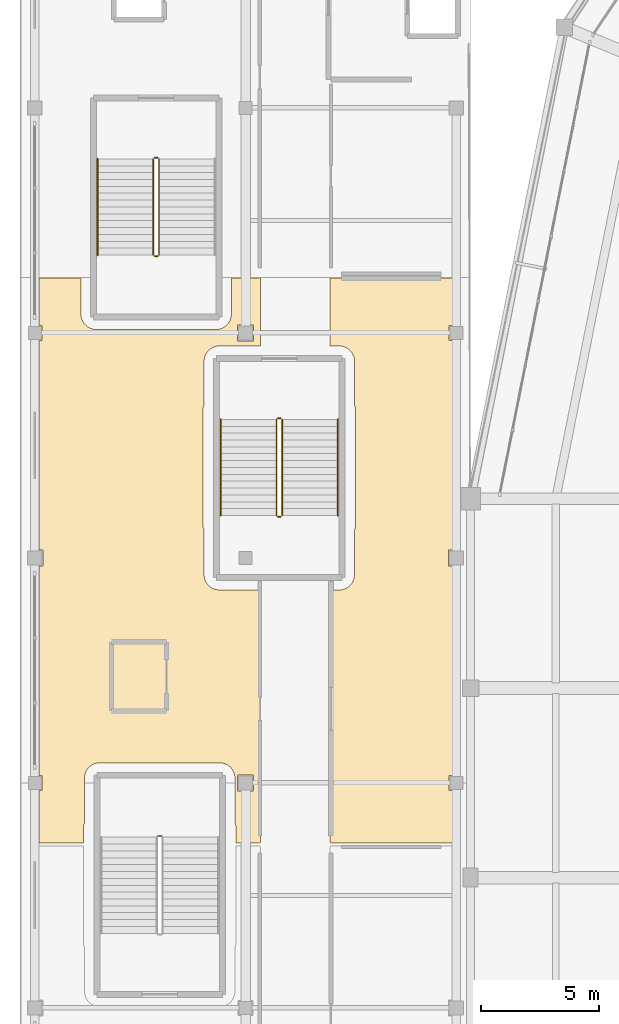
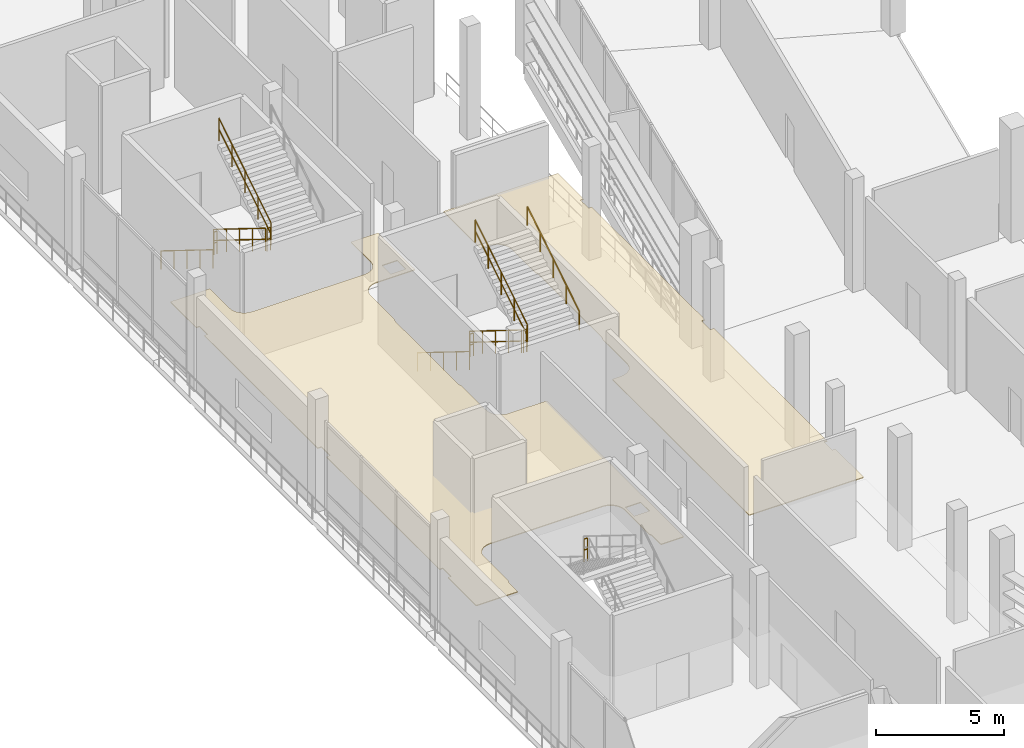
# One storey, part 96 of 111: 12 railings, 2 coverings.
"""IFC4 building model written with IfcOpenShell, lengths in metres."""

import ifcopenshell
import ifcopenshell.guid

model = None  # the IFC model being written
_history = None  # IfcOwnerHistory: only IFC2X3 demands one
_inside = {}  # id of a spatial element -> (the spatial element, [elements in it])
_under = {}  # id of a project, library or spatial element -> (it, [spatial elements below it])
_declared = {}  # id of a project -> (the project, [libraries it declares])
_typed = {}  # id of a type object -> (the type object, [elements of that type])
_made_of = {}  # id of a material, layer set ... -> (it, [elements and type objects made of it])


def new_model(schema):
    """Start an empty IFC model of exactly this schema.

    Asked for "IFC4X3", IfcOpenShell would pick the latest addendum, in which some entities
    have other attributes; the version numbers below select the first issue.
    IFC2X3 requires an IfcOwnerHistory on every rooted entity: one is made here for all.
    """
    global model, _history
    if schema == "IFC4X3":
        model = ifcopenshell.file(schema_version=(4, 3, 0, 0))
    else:
        model = ifcopenshell.file(schema=schema)
    _inside.clear()
    _under.clear()
    _declared.clear()
    _typed.clear()
    _made_of.clear()
    _history = None
    if model.schema == "IFC2X3":
        org = make("IfcOrganization", Name="unknown")
        user = make(
            "IfcPersonAndOrganization",
            ThePerson=make("IfcPerson", FamilyName="unknown"),
            TheOrganization=org,
        )
        app = make(
            "IfcApplication",
            ApplicationDeveloper=org,
            Version="unknown",
            ApplicationFullName="unknown",
            ApplicationIdentifier="unknown",
        )
        _history = make(
            "IfcOwnerHistory",
            OwningUser=user,
            OwningApplication=app,
            ChangeAction="ADDED",
            CreationDate=0,
        )
    return model


def make(cls, **values):
    """One entity of the class cls with the attributes given. An attribute that is None is left unset."""
    return model.create_entity(
        cls, **{name: value for name, value in values.items() if value is not None}
    )


def rooted(cls, **values):
    """An entity with a GlobalId (a new one), such as an element, a storey or a relation."""
    return make(cls, GlobalId=ifcopenshell.guid.new(), OwnerHistory=_history, **values)


def si_unit(unit_type, name, prefix=None):
    """IfcSIUnit, for example si_unit("LENGTHUNIT", "METRE", prefix="MILLI")."""
    return make("IfcSIUnit", UnitType=unit_type, Prefix=prefix, Name=name)


def assignment(units):
    """IfcUnitAssignment: the units of a project."""
    return None if units is None else make("IfcUnitAssignment", Units=units)


def point(xyz):
    """IfcCartesianPoint."""
    return None if xyz is None else make("IfcCartesianPoint", Coordinates=xyz)


def direction(xyz):
    """IfcDirection."""
    return None if xyz is None else make("IfcDirection", DirectionRatios=xyz)


def frame(location, z_axis=None, x_axis=None):
    """IfcAxis2Placement3D, a coordinate frame: its origin and axes. An axis left out is left unset."""
    return make(
        "IfcAxis2Placement3D",
        Location=point(location),
        Axis=direction(z_axis),
        RefDirection=direction(x_axis),
    )


def frame_2d(location, x_axis=None):
    """IfcAxis2Placement2D, a coordinate frame in the plane: its origin and x axis."""
    return make(
        "IfcAxis2Placement2D", Location=point(location), RefDirection=direction(x_axis)
    )


def origin():
    """The frame at (0, 0, 0) with its axes left unset."""
    return frame((0.0, 0.0, 0.0))


def origin_2d():
    """The frame at (0, 0) in the plane with its x axis left unset."""
    return frame_2d((0.0, 0.0))


def place(relative_to, where):
    """IfcLocalPlacement: puts the frame where relative to a parent placement (None: the world)."""
    return make(
        "IfcLocalPlacement", PlacementRelTo=relative_to, RelativePlacement=where
    )


def context(
    kind, dimensions, precision=None, world=None, true_north=None, identifier=None
):
    """IfcGeometricRepresentationContext, for example the 3D "Model" context."""
    return make(
        "IfcGeometricRepresentationContext",
        ContextIdentifier=identifier,
        ContextType=kind,
        CoordinateSpaceDimension=dimensions,
        Precision=precision,
        WorldCoordinateSystem=world,
        TrueNorth=true_north,
    )


def subcontext(parent, identifier, kind, view, scale=None):
    """IfcGeometricRepresentationSubContext, for example "Body" below "Model"."""
    return make(
        "IfcGeometricRepresentationSubContext",
        ContextIdentifier=identifier,
        ContextType=kind,
        ParentContext=parent,
        TargetScale=scale,
        TargetView=view,
    )


def project(units=None, contexts=None):
    """IfcProject with its units and contexts."""
    return rooted(
        "IfcProject",
        Name="project",
        RepresentationContexts=contexts,
        UnitsInContext=assignment(units),
    )


def spatial(cls, under=None, at=None, **own):
    """A site, building, storey or space (cls), placed at a placement, below another one or the project."""
    s = rooted(cls, ObjectPlacement=at, **own)
    if under is not None:
        _under.setdefault(under.id(), (under, []))[1].append(s)
    return s


def polyline(points):
    """IfcPolyline through the points."""
    return make("IfcPolyline", Points=[point(p) for p in points])


def profile(cls, at=None, kind="AREA", **sizes):
    """A parametric profile (cls). Its sizes go by their IFC names, for example OverallWidth=200.0."""
    return make(cls, ProfileType=kind, Position=at, **sizes)


def circle(**sizes):
    """IfcCircleProfileDef."""
    return profile("IfcCircleProfileDef", **sizes)


def outline(outer, holes=None, kind="AREA"):
    """IfcArbitraryClosedProfileDef: a profile drawn as a closed curve; with holes, ...WithVoids."""
    if holes is None:
        return make("IfcArbitraryClosedProfileDef", ProfileType=kind, OuterCurve=outer)
    return make(
        "IfcArbitraryProfileDefWithVoids",
        ProfileType=kind,
        OuterCurve=outer,
        InnerCurves=holes,
    )


def extrude(swept, where, along, depth):
    """IfcExtrudedAreaSolid: the profile swept, set in the frame where, extruded along a direction by depth."""
    return make(
        "IfcExtrudedAreaSolid",
        SweptArea=swept,
        Position=where,
        ExtrudedDirection=direction(along),
        Depth=depth,
    )


def shape(context_of_items, identifier, shape_type, items):
    """IfcShapeRepresentation: the items that make up one representation, for example the "Body"."""
    return make(
        "IfcShapeRepresentation",
        ContextOfItems=context_of_items,
        RepresentationIdentifier=identifier,
        RepresentationType=shape_type,
        Items=items,
    )


def material(Name=None, Category=None):
    """IfcMaterial."""
    return make("IfcMaterial", Name=Name, Category=Category)


def layer(
    of_material, thickness, ventilated=None, Name=None, Category=None, Priority=None
):
    """IfcMaterialLayer: one layer of a wall or slab, of a material (None: an air gap)."""
    return make(
        "IfcMaterialLayer",
        Material=of_material,
        LayerThickness=thickness,
        IsVentilated=ventilated,
        Name=Name,
        Category=Category,
        Priority=Priority,
    )


def layer_set(layers, Name=None):
    """IfcMaterialLayerSet."""
    return make("IfcMaterialLayerSet", MaterialLayers=layers, LayerSetName=Name)


def made_of(thing, what):
    """Note that an element or type object is made of a material, layer set ...; save() writes the relation."""
    if what is not None:
        _made_of.setdefault(what.id(), (what, []))[1].append(thing)
    return thing


def type_object(cls, material=None, **own):
    """A type object (cls), such as IfcWallType, which elements share."""
    return made_of(rooted(cls, **own), material)


def element(
    cls,
    number,
    at=None,
    inside=None,
    cuts=None,
    type_object=None,
    material=None,
    context=None,
    identifier="Body",
    shape_type=None,
    held_by="IfcProductDefinitionShape",
    body=None,
    shapes=None,
    **own,
):
    """One element of the class cls, such as IfcWall. Its Tag is "e" and its number.

    at: its placement. inside: the storey or other place that contains it. cuts: it is an
    opening in that element (IfcRelVoidsElement). A single representation is given by context,
    identifier, shape_type and body (its items); several are given by shapes. held_by: the class
    of the entity that holds the representations. save() writes the other relations.
    """
    e = rooted(cls, Tag="e%d" % number, ObjectPlacement=at, **own)
    if body is not None:
        shapes = [shape(context, identifier, shape_type, body)]
    if shapes is not None:
        e.Representation = make(held_by, Representations=shapes)
    if inside is not None:
        _inside.setdefault(inside.id(), (inside, []))[1].append(e)
    if cuts is not None:
        rooted(
            "IfcRelVoidsElement", RelatingBuildingElement=cuts, RelatedOpeningElement=e
        )
    if type_object is not None:
        _typed.setdefault(type_object.id(), (type_object, []))[1].append(e)
    return made_of(e, material)


def aggregate(whole, parts):
    """IfcRelAggregates: a whole, such as a stair, and the parts it consists of."""
    return rooted("IfcRelAggregates", RelatingObject=whole, RelatedObjects=parts)


def save(model, path):
    """Write the relations noted so far, then the file.

    IfcRelAggregates (storeys below a building ...), IfcRelContainedInSpatialStructure (elements
    in a storey), IfcRelDefinesByType, IfcRelAssociatesMaterial and IfcRelDeclares: one each for
    every whole, place, type object, material and project.
    """
    for whole, parts in _under.values():
        aggregate(whole, parts)
    for where, things in _inside.values():
        rooted(
            "IfcRelContainedInSpatialStructure",
            RelatedElements=things,
            RelatingStructure=where,
        )
    for kind, things in _typed.values():
        rooted("IfcRelDefinesByType", RelatedObjects=things, RelatingType=kind)
    for what, things in _made_of.values():
        rooted("IfcRelAssociatesMaterial", RelatedObjects=things, RelatingMaterial=what)
    for by, libraries in _declared.values():
        rooted("IfcRelDeclares", RelatingContext=by, RelatedDefinitions=libraries)
    model.write(path)


model = new_model("IFC4")

# Units and contexts
model_context = context("Model", 3, precision=1e-05, world=origin(), true_north=direction((0.0, 1.0)))
body_context = subcontext(model_context, "Body", "Model", "MODEL_VIEW")
ifc_project = project(units=[si_unit("LENGTHUNIT", "METRE"), si_unit("AREAUNIT", "SQUARE_METRE"), si_unit("VOLUMEUNIT", "CUBIC_METRE"), si_unit("PLANEANGLEUNIT", "RADIAN"), si_unit("MASSUNIT", "GRAM", prefix="KILO")], contexts=[model_context])

# Site, building, storey
site_placement = place(None, origin())
site = spatial("IfcSite", under=ifc_project, at=site_placement, CompositionType="ELEMENT")
building_placement = place(site_placement, origin())
building = spatial("IfcBuilding", under=site, at=building_placement, Name="Candeia Ridge Stadium", CompositionType="ELEMENT")
storey_placement = place(building_placement, frame((0.0, 0.0, 16.199951171875)))
storey = spatial("IfcBuildingStorey", under=building, at=storey_placement, Name="L03", CompositionType="ELEMENT", Elevation=16.199951171875)

# Coverings
ifc_material_1 = material(Name="Western Red Cedar Acoustic Slat", Category="wood")
ifc_layer_1 = layer(ifc_material_1, 0.044921875, Name="Western Red Cedar Acoustic Slat", Category="wood")
ifc_layer_set_1 = layer_set([ifc_layer_1], Name="Western Red Cedar Acoustic Slat")
covering_type = type_object("IfcCoveringType", Name="Slatted Cedar Acoustic Ceiling 45", PredefinedType="CEILING", material=ifc_layer_set_1)
covering_1_placement = place(storey_placement, frame((0.0, 0.0, 2.510009765625)))
element("IfcCovering", 1, at=covering_1_placement, inside=storey, type_object=covering_type, Name="Acoustic ceiling Executive Business Club Salon", PredefinedType="CEILING", context=body_context, shape_type="SweptSolid", body=[
    extrude(outline(polyline([(10.12939453125, 80.494140625), (10.128662109375, 80.4912109375), (10.127685546875, 80.488525390625), (10.12646484375, 80.48583984375), (10.125, 80.4833984375), (10.123291015625, 80.48095703125), (10.12109375, 80.478759765625), (10.118896484375, 80.476806640625), (10.11669921875, 80.47509765625), (10.114013671875, 80.473388671875), (10.111572265625, 80.472412109375), (10.108642578125, 80.47119140625), (10.10595703125, 80.470703125), (10.102783203125, 80.47021484375), (10.10009765625, 80.469970703125), (9.10009765625, 80.469970703125), (9.10009765625, 81.110107421875), (9.098388671875, 81.144287109375), (9.09326171875, 81.17822265625), (9.0849609375, 81.211669921875), (9.073486328125, 81.243896484375), (9.05859375, 81.27490234375), (9.050048828125, 81.28955078125), (9.050048828125, 83.199951171875), (9.049560546875, 83.21728515625), (9.048095703125, 83.24658203125), (9.044921875, 83.28076171875), (9.040283203125, 83.309814453125), (9.03369140625, 83.343505859375), (9.026611328125, 83.3720703125), (9.0166015625, 83.405029296875), (9.006591796875, 83.4326171875), (8.99365234375, 83.46435546875), (8.98095703125, 83.4912109375), (8.96484375, 83.521484375), (8.94970703125, 83.546630859375), (8.9306640625, 83.5751953125), (8.9130859375, 83.598876953125), (8.89111328125, 83.62548828125), (8.87158203125, 83.647216796875), (8.84716796875, 83.67138671875), (8.825439453125, 83.691162109375), (8.798828125, 83.712890625), (8.775146484375, 83.730712890625), (8.74658203125, 83.74951171875), (8.721435546875, 83.764892578125), (8.691162109375, 83.781005859375), (8.664306640625, 83.793701171875), (8.6328125, 83.806640625), (8.60498046875, 83.816650390625), (8.572021484375, 83.82666015625), (8.543701171875, 83.833740234375), (8.510009765625, 83.84033203125), (8.480712890625, 83.8447265625), (8.446533203125, 83.84814453125), (8.417236328125, 83.849609375), (8.39990234375, 83.85009765625), (3.35009765625, 83.85009765625), (3.332763671875, 83.849609375), (3.303466796875, 83.84814453125), (3.269287109375, 83.8447265625), (3.239990234375, 83.84033203125), (3.206298828125, 83.833740234375), (3.177978515625, 83.82666015625), (3.14501953125, 83.816650390625), (3.1171875, 83.806640625), (3.085693359375, 83.793701171875), (3.058837890625, 83.781005859375), (3.028564453125, 83.764892578125), (3.00341796875, 83.74951171875), (2.974853515625, 83.730712890625), (2.951171875, 83.712890625), (2.924560546875, 83.691162109375), (2.90283203125, 83.67138671875), (2.87841796875, 83.647216796875), (2.85888671875, 83.62548828125), (2.8369140625, 83.598876953125), (2.8193359375, 83.5751953125), (2.80029296875, 83.546630859375), (2.78515625, 83.521484375), (2.76904296875, 83.4912109375), (2.75634765625, 83.46435546875), (2.743408203125, 83.4326171875), (2.7333984375, 83.405029296875), (2.723388671875, 83.3720703125), (2.71630859375, 83.343505859375), (2.709716796875, 83.309814453125), (2.705078125, 83.28076171875), (2.701904296875, 83.24658203125), (2.700439453125, 83.21728515625), (2.699951171875, 83.199951171875), (2.699951171875, 81.28955078125), (2.69140625, 81.27490234375), (2.676513671875, 81.243896484375), (2.6650390625, 81.211669921875), (2.65673828125, 81.17822265625), (2.651611328125, 81.144287109375), (2.64990234375, 81.110107421875), (2.64990234375, 80.469970703125), (0.800048828125, 80.469970703125), (0.797119140625, 80.47021484375), (0.794189453125, 80.470703125), (0.791259765625, 80.47119140625), (0.78857421875, 80.472412109375), (0.785888671875, 80.473388671875), (0.783203125, 80.47509765625), (0.781005859375, 80.476806640625), (0.77880859375, 80.478759765625), (0.77685546875, 80.48095703125), (0.775146484375, 80.4833984375), (0.7734375, 80.48583984375), (0.772216796875, 80.488525390625), (0.771240234375, 80.4912109375), (0.7705078125, 80.494140625), (0.77001953125, 80.4970703125), (0.77001953125, 80.5), (0.77001953125, 82.68505859375), (0.9150390625, 82.68505859375), (0.9150390625, 83.31494140625), (0.77001953125, 83.31494140625), (0.77001953125, 92.159912109375), (0.93994140625, 92.159912109375), (0.93994140625, 92.840087890625), (0.77001953125, 92.840087890625), (0.77001953125, 101.68505859375), (0.9150390625, 101.68505859375), (0.9150390625, 102.31494140625), (0.77001953125, 102.31494140625), (0.77001953125, 104.300048828125), (0.77001953125, 104.302978515625), (0.7705078125, 104.305908203125), (0.771240234375, 104.30859375), (0.772216796875, 104.3115234375), (0.7734375, 104.314208984375), (0.775146484375, 104.316650390625), (0.77685546875, 104.319091796875), (0.77880859375, 104.3212890625), (0.781005859375, 104.3232421875), (0.783203125, 104.324951171875), (0.785888671875, 104.326416015625), (0.78857421875, 104.32763671875), (0.791259765625, 104.32861328125), (0.794189453125, 104.329345703125), (0.797119140625, 104.329833984375), (0.800048828125, 104.330078125), (2.550048828125, 104.330078125), (2.550048828125, 102.800048828125), (2.55029296875, 102.78271484375), (2.552001953125, 102.75341796875), (2.55517578125, 102.71923828125), (2.5595703125, 102.690185546875), (2.56640625, 102.656494140625), (2.573486328125, 102.6279296875), (2.58349609375, 102.594970703125), (2.59326171875, 102.5673828125), (2.6064453125, 102.53564453125), (2.618896484375, 102.5087890625), (2.63525390625, 102.478515625), (2.650390625, 102.453369140625), (2.66943359375, 102.4248046875), (2.68701171875, 102.401123046875), (2.708740234375, 102.37451171875), (2.728515625, 102.352783203125), (2.752685546875, 102.32861328125), (2.774658203125, 102.308837890625), (2.80126953125, 102.287109375), (2.82470703125, 102.269287109375), (2.853515625, 102.25048828125), (2.878662109375, 102.235107421875), (2.908935546875, 102.218994140625), (2.935546875, 102.206298828125), (2.96728515625, 102.193359375), (2.9951171875, 102.183349609375), (3.02783203125, 102.17333984375), (3.056396484375, 102.166259765625), (3.090087890625, 102.15966796875), (3.119140625, 102.1552734375), (3.1533203125, 102.15185546875), (3.182861328125, 102.150390625), (3.199951171875, 102.14990234375), (8.25, 102.14990234375), (8.26708984375, 102.150390625), (8.296630859375, 102.15185546875), (8.330810546875, 102.1552734375), (8.35986328125, 102.15966796875), (8.3935546875, 102.166259765625), (8.422119140625, 102.17333984375), (8.455078125, 102.183349609375), (8.482666015625, 102.193359375), (8.514404296875, 102.206298828125), (8.541015625, 102.218994140625), (8.5712890625, 102.235107421875), (8.5966796875, 102.25048828125), (8.625244140625, 102.269287109375), (8.648681640625, 102.287109375), (8.67529296875, 102.308837890625), (8.697265625, 102.32861328125), (8.721435546875, 102.352783203125), (8.7412109375, 102.37451171875), (8.762939453125, 102.401123046875), (8.780517578125, 102.4248046875), (8.799560546875, 102.453369140625), (8.814697265625, 102.478515625), (8.8310546875, 102.5087890625), (8.843505859375, 102.53564453125), (8.856689453125, 102.5673828125), (8.86669921875, 102.594970703125), (8.876708984375, 102.6279296875), (8.8837890625, 102.656494140625), (8.890380859375, 102.690185546875), (8.894775390625, 102.71923828125), (8.898193359375, 102.75341796875), (8.899658203125, 102.78271484375), (8.89990234375, 102.800048828125), (8.89990234375, 104.330078125), (10.10009765625, 104.330078125), (10.102783203125, 104.329833984375), (10.10595703125, 104.329345703125), (10.108642578125, 104.32861328125), (10.111572265625, 104.32763671875), (10.114013671875, 104.326416015625), (10.11669921875, 104.324951171875), (10.118896484375, 104.3232421875), (10.12109375, 104.3212890625), (10.123291015625, 104.319091796875), (10.125, 104.316650390625), (10.12646484375, 104.314208984375), (10.127685546875, 104.3115234375), (10.128662109375, 104.30859375), (10.12939453125, 104.305908203125), (10.1298828125, 104.302978515625), (10.1298828125, 104.300048828125), (10.1298828125, 101.449951171875), (8.39990234375, 101.449951171875), (8.3828125, 101.44970703125), (8.353515625, 101.447998046875), (8.319091796875, 101.44482421875), (8.2900390625, 101.4404296875), (8.25634765625, 101.43359375), (8.227783203125, 101.426513671875), (8.195068359375, 101.41650390625), (8.167236328125, 101.40673828125), (8.135498046875, 101.3935546875), (8.10888671875, 101.381103515625), (8.07861328125, 101.36474609375), (8.053466796875, 101.349609375), (8.02490234375, 101.33056640625), (8.001220703125, 101.31298828125), (7.974609375, 101.291259765625), (7.952880859375, 101.271484375), (7.928466796875, 101.247314453125), (7.90869140625, 101.225341796875), (7.886962890625, 101.19873046875), (7.869384765625, 101.17529296875), (7.850341796875, 101.146484375), (7.835205078125, 101.121337890625), (7.819091796875, 101.091064453125), (7.806396484375, 101.064453125), (7.793212890625, 101.03271484375), (7.783447265625, 101.0048828125), (7.7734375, 100.97216796875), (7.766357421875, 100.943603515625), (7.759521484375, 100.909912109375), (7.755126953125, 100.880859375), (7.751953125, 100.8466796875), (7.75048828125, 100.817138671875), (7.75, 100.800048828125), (7.75, 98.929443359375), (7.7412109375, 98.9150390625), (7.7265625, 98.8837890625), (7.715087890625, 98.8515625), (7.706787109375, 98.818359375), (7.70166015625, 98.7841796875), (7.699951171875, 98.75), (7.699951171875, 93.889892578125), (7.70166015625, 93.855712890625), (7.706787109375, 93.82177734375), (7.715087890625, 93.788330078125), (7.7265625, 93.756103515625), (7.7412109375, 93.72509765625), (7.75, 93.71044921875), (7.75, 91.800048828125), (7.75048828125, 91.78271484375), (7.751953125, 91.75341796875), (7.755126953125, 91.71923828125), (7.759521484375, 91.690185546875), (7.766357421875, 91.656494140625), (7.7734375, 91.6279296875), (7.783447265625, 91.594970703125), (7.793212890625, 91.5673828125), (7.806396484375, 91.53564453125), (7.819091796875, 91.5087890625), (7.835205078125, 91.478515625), (7.850341796875, 91.453369140625), (7.869384765625, 91.4248046875), (7.886962890625, 91.401123046875), (7.90869140625, 91.37451171875), (7.928466796875, 91.352783203125), (7.952880859375, 91.32861328125), (7.974609375, 91.308837890625), (8.001220703125, 91.287109375), (8.02490234375, 91.269287109375), (8.053466796875, 91.25048828125), (8.07861328125, 91.235107421875), (8.10888671875, 91.218994140625), (8.135498046875, 91.206298828125), (8.167236328125, 91.193359375), (8.195068359375, 91.183349609375), (8.227783203125, 91.17333984375), (8.25634765625, 91.166259765625), (8.2900390625, 91.15966796875), (8.319091796875, 91.1552734375), (8.353515625, 91.15185546875), (8.3828125, 91.150390625), (8.39990234375, 91.14990234375), (10.1298828125, 91.14990234375), (10.1298828125, 80.5), (10.1298828125, 80.4970703125), (10.12939453125, 80.494140625)]), holes=[polyline([(9.159912109375, 83.340087890625), (9.159912109375, 82.659912109375), (9.840087890625, 82.659912109375), (9.840087890625, 83.340087890625), (9.159912109375, 83.340087890625)]), polyline([(9.159912109375, 102.340087890625), (9.159912109375, 101.659912109375), (9.840087890625, 101.659912109375), (9.840087890625, 102.340087890625), (9.159912109375, 102.340087890625)])]), origin(), (0.0, 0.0, 1.0), 0.0400390625),
])
covering_2_placement = place(storey_placement, frame((0.0, 0.0, 2.510009765625)))
element("IfcCovering", 2, at=covering_2_placement, inside=storey, type_object=covering_type, Name="Acoustic ceiling Executive Business Club Salon Pitchside Suite", PredefinedType="CEILING", context=body_context, shape_type="SweptSolid", body=[
    extrude(outline(polyline([(13.070556640625, 104.305908203125), (13.0712890625, 104.30859375), (13.072265625, 104.3115234375), (13.073486328125, 104.314208984375), (13.0751953125, 104.316650390625), (13.076904296875, 104.319091796875), (13.078857421875, 104.3212890625), (13.0810546875, 104.3232421875), (13.083251953125, 104.324951171875), (13.0859375, 104.326416015625), (13.08837890625, 104.32763671875), (13.09130859375, 104.32861328125), (13.093994140625, 104.329345703125), (13.09716796875, 104.329833984375), (13.10009765625, 104.330078125), (18.199951171875, 104.330078125), (18.202880859375, 104.329833984375), (18.205810546875, 104.329345703125), (18.208740234375, 104.32861328125), (18.21142578125, 104.32763671875), (18.214111328125, 104.326416015625), (18.216796875, 104.324951171875), (18.218994140625, 104.3232421875), (18.22119140625, 104.3212890625), (18.22314453125, 104.319091796875), (18.224853515625, 104.316650390625), (18.2265625, 104.314208984375), (18.227783203125, 104.3115234375), (18.228759765625, 104.30859375), (18.2294921875, 104.305908203125), (18.22998046875, 104.302978515625), (18.22998046875, 104.300048828125), (18.22998046875, 102.31494140625), (18.0849609375, 102.31494140625), (18.0849609375, 101.68505859375), (18.22998046875, 101.68505859375), (18.22998046875, 92.840087890625), (18.06005859375, 92.840087890625), (18.06005859375, 92.159912109375), (18.22998046875, 92.159912109375), (18.22998046875, 83.31494140625), (18.0849609375, 83.31494140625), (18.0849609375, 82.68505859375), (18.22998046875, 82.68505859375), (18.22998046875, 80.5), (18.22998046875, 80.4970703125), (18.2294921875, 80.494140625), (18.228759765625, 80.4912109375), (18.227783203125, 80.488525390625), (18.2265625, 80.48583984375), (18.224853515625, 80.4833984375), (18.22314453125, 80.48095703125), (18.22119140625, 80.478759765625), (18.218994140625, 80.476806640625), (18.216796875, 80.47509765625), (18.214111328125, 80.473388671875), (18.21142578125, 80.472412109375), (18.208740234375, 80.47119140625), (18.205810546875, 80.470703125), (18.202880859375, 80.47021484375), (18.199951171875, 80.469970703125), (13.10009765625, 80.469970703125), (13.09716796875, 80.47021484375), (13.093994140625, 80.470703125), (13.09130859375, 80.47119140625), (13.08837890625, 80.472412109375), (13.0859375, 80.473388671875), (13.083251953125, 80.47509765625), (13.0810546875, 80.476806640625), (13.078857421875, 80.478759765625), (13.076904296875, 80.48095703125), (13.0751953125, 80.4833984375), (13.073486328125, 80.48583984375), (13.072265625, 80.488525390625), (13.0712890625, 80.4912109375), (13.070556640625, 80.494140625), (13.070068359375, 80.4970703125), (13.070068359375, 80.5), (13.070068359375, 91.14990234375), (13.449951171875, 91.14990234375), (13.46728515625, 91.150390625), (13.49658203125, 91.15185546875), (13.53076171875, 91.1552734375), (13.559814453125, 91.15966796875), (13.593505859375, 91.166259765625), (13.6220703125, 91.17333984375), (13.655029296875, 91.183349609375), (13.6826171875, 91.193359375), (13.71435546875, 91.206298828125), (13.7412109375, 91.218994140625), (13.771484375, 91.235107421875), (13.796630859375, 91.25048828125), (13.8251953125, 91.269287109375), (13.848876953125, 91.287109375), (13.87548828125, 91.308837890625), (13.897216796875, 91.32861328125), (13.92138671875, 91.352783203125), (13.941162109375, 91.37451171875), (13.962890625, 91.401123046875), (13.980712890625, 91.4248046875), (13.99951171875, 91.453369140625), (14.014892578125, 91.478515625), (14.031005859375, 91.5087890625), (14.043701171875, 91.53564453125), (14.056640625, 91.5673828125), (14.066650390625, 91.594970703125), (14.07666015625, 91.6279296875), (14.083740234375, 91.656494140625), (14.09033203125, 91.690185546875), (14.0947265625, 91.71923828125), (14.09814453125, 91.75341796875), (14.099609375, 91.78271484375), (14.10009765625, 91.800048828125), (14.10009765625, 93.71044921875), (14.108642578125, 93.72509765625), (14.123291015625, 93.756103515625), (14.135009765625, 93.788330078125), (14.143310546875, 93.82177734375), (14.148193359375, 93.855712890625), (14.14990234375, 93.889892578125), (14.14990234375, 98.75), (14.148193359375, 98.7841796875), (14.143310546875, 98.818359375), (14.135009765625, 98.8515625), (14.123291015625, 98.8837890625), (14.108642578125, 98.9150390625), (14.10009765625, 98.929443359375), (14.10009765625, 100.800048828125), (14.099609375, 100.817138671875), (14.09814453125, 100.8466796875), (14.0947265625, 100.880859375), (14.09033203125, 100.909912109375), (14.083740234375, 100.943603515625), (14.07666015625, 100.97216796875), (14.066650390625, 101.0048828125), (14.056640625, 101.03271484375), (14.043701171875, 101.064453125), (14.031005859375, 101.091064453125), (14.014892578125, 101.121337890625), (13.99951171875, 101.146484375), (13.980712890625, 101.17529296875), (13.962890625, 101.19873046875), (13.941162109375, 101.225341796875), (13.92138671875, 101.247314453125), (13.897216796875, 101.271484375), (13.87548828125, 101.291259765625), (13.848876953125, 101.31298828125), (13.8251953125, 101.33056640625), (13.796630859375, 101.349609375), (13.771484375, 101.36474609375), (13.7412109375, 101.381103515625), (13.71435546875, 101.3935546875), (13.6826171875, 101.40673828125), (13.655029296875, 101.41650390625), (13.6220703125, 101.426513671875), (13.593505859375, 101.43359375), (13.559814453125, 101.4404296875), (13.53076171875, 101.44482421875), (13.49658203125, 101.447998046875), (13.46728515625, 101.44970703125), (13.449951171875, 101.449951171875), (13.070068359375, 101.449951171875), (13.070068359375, 104.300048828125), (13.070068359375, 104.302978515625), (13.070556640625, 104.305908203125)])), origin(), (0.0, 0.0, 1.0), 0.0400390625),
])

# Railings
ifc_material_2 = material(Name="Brushed Stainless Steel", Category="steel")
ifc_layer_2 = layer(ifc_material_2, 0.048095703125, Name="Brushed Stainless Steel", Category="steel")
ifc_layer_set_2 = layer_set([ifc_layer_2], Name="Brushed Stainless Steel")
railing_type_1 = type_object("IfcRailingType", Name="Stair Wall & Flight Handrail 900", PredefinedType="HANDRAIL", material=ifc_layer_set_2)
for number, where, name in (
    (3, (3.25, 109.35009765625, 0.179931640625), "L03 ST06 stair handrail 1"),
    (4, (8.449951171875, 98.35009765625, 0.179931640625), "L03 ST08 stair handrail 1"),
):
    element("IfcRailing", number, at=place(storey_placement, frame(where)), inside=storey, type_object=railing_type_1, Name=name, PredefinedType="HANDRAIL", context=body_context, shape_type="SweptSolid", body=[
        extrude(circle(Radius=0.02392578125, at=origin_2d()), frame((0.0, 0.0, 0.8759765625), z_axis=(0.0, -0.849641744969, 0.527360318194), x_axis=(1.0, 0.0, 0.0)), (0.0, 0.0, 1.0), 4.778564453125),
        extrude(circle(Radius=0.02099609375, at=origin_2d()), origin(), (0.0, 0.0, 1.0), 0.851806640625),
        extrude(circle(Radius=0.02099609375, at=origin_2d()), frame((0.0, -1.01513671875, 0.6298828125)), (0.0, 0.0, 1.0), 0.851806640625),
        extrude(circle(Radius=0.02099609375, at=origin_2d()), frame((0.0, -2.030029296875, 1.260009765625)), (0.0, 0.0, 1.0), 0.851806640625),
        extrude(circle(Radius=0.02099609375, at=origin_2d()), frame((0.0, -3.044921875, 1.89013671875)), (0.0, 0.0, 1.0), 0.851806640625),
        extrude(circle(Radius=0.02099609375, at=origin_2d()), frame((0.0, -4.06005859375, 2.52001953125)), (0.0, 0.0, 1.0), 0.851806640625),
    ])
railing_1_placement = place(storey_placement, frame((13.39990234375, 94.2900390625, 2.880126953125)))
element("IfcRailing", 5, at=railing_1_placement, inside=storey, type_object=railing_type_1, Name="L03 ST08 stair handrail 2", PredefinedType="HANDRAIL", context=body_context, shape_type="SweptSolid", body=[
    extrude(circle(Radius=0.02392578125, at=origin_2d()), frame((0.0, 0.0, 0.8759765625), z_axis=(0.0, 0.849641744969, 0.527360318194), x_axis=(-1.0, 0.0, 0.0)), (0.0, 0.0, 1.0), 4.778564453125),
    extrude(circle(Radius=0.02099609375, at=origin_2d()), origin(), (0.0, 0.0, 1.0), 0.851806640625),
    extrude(circle(Radius=0.02099609375, at=origin_2d()), frame((0.0, 1.01513671875, 0.6298828125)), (0.0, 0.0, 1.0), 0.851806640625),
    extrude(circle(Radius=0.02099609375, at=origin_2d()), frame((0.0, 2.030029296875, 1.260009765625)), (0.0, 0.0, 1.0), 0.851806640625),
    extrude(circle(Radius=0.02099609375, at=origin_2d()), frame((0.0, 3.044921875, 1.89013671875)), (0.0, 0.0, 1.0), 0.851806640625),
    extrude(circle(Radius=0.02099609375, at=origin_2d()), frame((0.0, 4.06005859375, 2.52001953125)), (0.0, 0.0, 1.0), 0.851806640625),
])
ifc_material_3 = material(Name="Galvanized Powder-Coated Steel", Category="steel")
ifc_layer_3 = layer(ifc_material_3, 0.06005859375, Name="Galvanized Powder-Coated Steel", Category="steel")
ifc_layer_set_3 = layer_set([ifc_layer_3], Name="Galvanized Powder-Coated Steel")
railing_type_2 = type_object("IfcRailingType", Name="Stair Well Guardrail 1100", PredefinedType="GUARDRAIL", material=ifc_layer_set_3)
railing_2_placement = place(storey_placement, frame((5.60009765625, 109.35009765625, 0.179931640625)))
element("IfcRailing", 6, at=railing_2_placement, inside=storey, type_object=railing_type_2, Name="L03 ST06 stair guard 1", PredefinedType="GUARDRAIL", context=body_context, shape_type="SweptSolid", body=[
    extrude(circle(Radius=0.02392578125, at=origin_2d()), frame((0.0, 0.0, 1.076171875), z_axis=(0.0, -0.849641744969, 0.527360318194), x_axis=(1.0, 0.0, 0.0)), (0.0, 0.0, 1.0), 4.778564453125),
    extrude(circle(Radius=0.02392578125, at=origin_2d()), frame((0.0, 0.0, 0.550048828125), z_axis=(0.0, -0.849641744969, 0.527360318194), x_axis=(1.0, 0.0, 0.0)), (0.0, 0.0, 1.0), 4.778564453125),
    extrude(circle(Radius=0.02099609375, at=origin_2d()), origin(), (0.0, 0.0, 1.0), 1.052001953125),
    extrude(circle(Radius=0.02099609375, at=origin_2d()), frame((0.0, -1.01513671875, 0.6298828125)), (0.0, 0.0, 1.0), 1.052001953125),
    extrude(circle(Radius=0.02099609375, at=origin_2d()), frame((0.0, -2.030029296875, 1.260009765625)), (0.0, 0.0, 1.0), 1.052001953125),
    extrude(circle(Radius=0.02099609375, at=origin_2d()), frame((0.0, -3.044921875, 1.89013671875)), (0.0, 0.0, 1.0), 1.052001953125),
    extrude(circle(Radius=0.02099609375, at=origin_2d()), frame((0.0, -4.06005859375, 2.52001953125)), (0.0, 0.0, 1.0), 1.052001953125),
])
railing_3_placement = place(storey_placement, frame((5.64990234375, 105.239990234375, 2.699951171875)))
element("IfcRailing", 7, at=railing_3_placement, inside=storey, type_object=railing_type_2, Name="L03 ST06 stair guard 2", PredefinedType="GUARDRAIL", context=body_context, shape_type="SweptSolid", body=[
    extrude(circle(Radius=0.02392578125, at=origin_2d()), frame((0.0, 0.0, 1.076171875), z_axis=(1.0, 0.0, 0.0), x_axis=(0.0, 1.0, 0.0)), (0.0, 0.0, 1.0), 0.150146484375),
    extrude(circle(Radius=0.02392578125, at=origin_2d()), frame((0.0, 0.0, 0.550048828125), z_axis=(1.0, 0.0, 0.0), x_axis=(0.0, 1.0, 0.0)), (0.0, 0.0, 1.0), 0.150146484375),
    extrude(circle(Radius=0.02099609375, at=origin_2d()), origin(), (0.0, 0.0, 1.0), 1.052001953125),
    extrude(circle(Radius=0.02099609375, at=origin_2d()), frame((0.150146484375, 0.0, 0.0)), (0.0, 0.0, 1.0), 1.052001953125),
])
railing_4_placement = place(storey_placement, frame((5.85009765625, 105.2900390625, 2.880126953125)))
element("IfcRailing", 8, at=railing_4_placement, inside=storey, type_object=railing_type_2, Name="L03 ST06 stair guard 3", PredefinedType="GUARDRAIL", context=body_context, shape_type="SweptSolid", body=[
    extrude(circle(Radius=0.02392578125, at=origin_2d()), frame((0.0, 0.0, 1.076171875), z_axis=(0.0, 0.849641744969, 0.527360318194), x_axis=(-1.0, 0.0, 0.0)), (0.0, 0.0, 1.0), 4.778564453125),
    extrude(circle(Radius=0.02392578125, at=origin_2d()), frame((0.0, 0.0, 0.550048828125), z_axis=(0.0, 0.849641744969, 0.527360318194), x_axis=(-1.0, 0.0, 0.0)), (0.0, 0.0, 1.0), 4.778564453125),
    extrude(circle(Radius=0.02099609375, at=origin_2d()), origin(), (0.0, 0.0, 1.0), 1.052001953125),
    extrude(circle(Radius=0.02099609375, at=origin_2d()), frame((0.0, 1.01513671875, 0.6298828125)), (0.0, 0.0, 1.0), 1.052001953125),
    extrude(circle(Radius=0.02099609375, at=origin_2d()), frame((0.0, 2.030029296875, 1.260009765625)), (0.0, 0.0, 1.0), 1.052001953125),
    extrude(circle(Radius=0.02099609375, at=origin_2d()), frame((0.0, 3.044921875, 1.89013671875)), (0.0, 0.0, 1.0), 1.052001953125),
    extrude(circle(Radius=0.02099609375, at=origin_2d()), frame((0.0, 4.06005859375, 2.52001953125)), (0.0, 0.0, 1.0), 1.052001953125),
])
railing_5_placement = place(storey_placement, frame((5.64990234375, 109.39990234375, 0.0)))
element("IfcRailing", 9, at=railing_5_placement, inside=storey, type_object=railing_type_2, Name="L03 ST06 stair guard 4", PredefinedType="GUARDRAIL", context=body_context, shape_type="SweptSolid", body=[
    extrude(circle(Radius=0.02392578125, at=origin_2d()), frame((0.0, 0.0, 1.076171875), z_axis=(1.0, 0.0, 0.0), x_axis=(0.0, 1.0, 0.0)), (0.0, 0.0, 1.0), 0.150146484375),
    extrude(circle(Radius=0.02392578125, at=origin_2d()), frame((0.0, 0.0, 0.550048828125), z_axis=(1.0, 0.0, 0.0), x_axis=(0.0, 1.0, 0.0)), (0.0, 0.0, 1.0), 0.150146484375),
    extrude(circle(Radius=0.02099609375, at=origin_2d()), origin(), (0.0, 0.0, 1.0), 1.052001953125),
    extrude(circle(Radius=0.02099609375, at=origin_2d()), frame((0.150146484375, 0.0, 0.0)), (0.0, 0.0, 1.0), 1.052001953125),
])
railing_6_placement = place(storey_placement, frame((5.949951171875, 80.760009765625, 2.699951171875)))
element("IfcRailing", 10, at=railing_6_placement, inside=storey, type_object=railing_type_2, Name="L03 ST07 stair guard 2", PredefinedType="GUARDRAIL", context=body_context, shape_type="SweptSolid", body=[
    extrude(circle(Radius=0.02392578125, at=origin_2d()), frame((0.0, 0.0, 1.076171875), z_axis=(-1.0, 0.0, 0.0), x_axis=(0.0, -1.0, 0.0)), (0.0, 0.0, 1.0), 0.14990234375),
    extrude(circle(Radius=0.02392578125, at=origin_2d()), frame((0.0, 0.0, 0.550048828125), z_axis=(-1.0, 0.0, 0.0), x_axis=(0.0, -1.0, 0.0)), (0.0, 0.0, 1.0), 0.14990234375),
    extrude(circle(Radius=0.02099609375, at=origin_2d()), origin(), (0.0, 0.0, 1.0), 1.052001953125),
    extrude(circle(Radius=0.02099609375, at=origin_2d()), frame((-0.14990234375, 0.0, 0.0)), (0.0, 0.0, 1.0), 1.052001953125),
])
railing_7_placement = place(storey_placement, frame((10.800048828125, 98.35009765625, 0.179931640625)))
element("IfcRailing", 11, at=railing_7_placement, inside=storey, type_object=railing_type_2, Name="L03 ST08 stair guard 1", PredefinedType="GUARDRAIL", context=body_context, shape_type="SweptSolid", body=[
    extrude(circle(Radius=0.02392578125, at=origin_2d()), frame((0.0, 0.0, 1.076171875), z_axis=(0.0, -0.849641744969, 0.527360318194), x_axis=(1.0, 0.0, 0.0)), (0.0, 0.0, 1.0), 4.778564453125),
    extrude(circle(Radius=0.02392578125, at=origin_2d()), frame((0.0, 0.0, 0.550048828125), z_axis=(0.0, -0.849641744969, 0.527360318194), x_axis=(1.0, 0.0, 0.0)), (0.0, 0.0, 1.0), 4.778564453125),
    extrude(circle(Radius=0.02099609375, at=origin_2d()), origin(), (0.0, 0.0, 1.0), 1.052001953125),
    extrude(circle(Radius=0.02099609375, at=origin_2d()), frame((0.0, -1.01513671875, 0.6298828125)), (0.0, 0.0, 1.0), 1.052001953125),
    extrude(circle(Radius=0.02099609375, at=origin_2d()), frame((0.0, -2.030029296875, 1.260009765625)), (0.0, 0.0, 1.0), 1.052001953125),
    extrude(circle(Radius=0.02099609375, at=origin_2d()), frame((0.0, -3.044921875, 1.89013671875)), (0.0, 0.0, 1.0), 1.052001953125),
    extrude(circle(Radius=0.02099609375, at=origin_2d()), frame((0.0, -4.06005859375, 2.52001953125)), (0.0, 0.0, 1.0), 1.052001953125),
])
railing_8_placement = place(storey_placement, frame((10.85009765625, 94.239990234375, 2.699951171875)))
element("IfcRailing", 12, at=railing_8_placement, inside=storey, type_object=railing_type_2, Name="L03 ST08 stair guard 2", PredefinedType="GUARDRAIL", context=body_context, shape_type="SweptSolid", body=[
    extrude(circle(Radius=0.02392578125, at=origin_2d()), frame((0.0, 0.0, 1.076171875), z_axis=(1.0, 0.0, 0.0), x_axis=(0.0, 1.0, 0.0)), (0.0, 0.0, 1.0), 0.14990234375),
    extrude(circle(Radius=0.02392578125, at=origin_2d()), frame((0.0, 0.0, 0.550048828125), z_axis=(1.0, 0.0, 0.0), x_axis=(0.0, 1.0, 0.0)), (0.0, 0.0, 1.0), 0.14990234375),
    extrude(circle(Radius=0.02099609375, at=origin_2d()), origin(), (0.0, 0.0, 1.0), 1.052001953125),
    extrude(circle(Radius=0.02099609375, at=origin_2d()), frame((0.14990234375, 0.0, 0.0)), (0.0, 0.0, 1.0), 1.052001953125),
])
railing_9_placement = place(storey_placement, frame((11.050048828125, 94.2900390625, 2.880126953125)))
element("IfcRailing", 13, at=railing_9_placement, inside=storey, type_object=railing_type_2, Name="L03 ST08 stair guard 3", PredefinedType="GUARDRAIL", context=body_context, shape_type="SweptSolid", body=[
    extrude(circle(Radius=0.02392578125, at=origin_2d()), frame((0.0, 0.0, 1.076171875), z_axis=(0.0, 0.849641744969, 0.527360318194), x_axis=(-1.0, 0.0, 0.0)), (0.0, 0.0, 1.0), 4.778564453125),
    extrude(circle(Radius=0.02392578125, at=origin_2d()), frame((0.0, 0.0, 0.550048828125), z_axis=(0.0, 0.849641744969, 0.527360318194), x_axis=(-1.0, 0.0, 0.0)), (0.0, 0.0, 1.0), 4.778564453125),
    extrude(circle(Radius=0.02099609375, at=origin_2d()), origin(), (0.0, 0.0, 1.0), 1.052001953125),
    extrude(circle(Radius=0.02099609375, at=origin_2d()), frame((0.0, 1.01513671875, 0.6298828125)), (0.0, 0.0, 1.0), 1.052001953125),
    extrude(circle(Radius=0.02099609375, at=origin_2d()), frame((0.0, 2.030029296875, 1.260009765625)), (0.0, 0.0, 1.0), 1.052001953125),
    extrude(circle(Radius=0.02099609375, at=origin_2d()), frame((0.0, 3.044921875, 1.89013671875)), (0.0, 0.0, 1.0), 1.052001953125),
    extrude(circle(Radius=0.02099609375, at=origin_2d()), frame((0.0, 4.06005859375, 2.52001953125)), (0.0, 0.0, 1.0), 1.052001953125),
])
railing_10_placement = place(storey_placement, frame((10.85009765625, 98.39990234375, 0.0)))
element("IfcRailing", 14, at=railing_10_placement, inside=storey, type_object=railing_type_2, Name="L03 ST08 stair guard 4", PredefinedType="GUARDRAIL", context=body_context, shape_type="SweptSolid", body=[
    extrude(circle(Radius=0.02392578125, at=origin_2d()), frame((0.0, 0.0, 1.076171875), z_axis=(1.0, 0.0, 0.0), x_axis=(0.0, 1.0, 0.0)), (0.0, 0.0, 1.0), 0.14990234375),
    extrude(circle(Radius=0.02392578125, at=origin_2d()), frame((0.0, 0.0, 0.550048828125), z_axis=(1.0, 0.0, 0.0), x_axis=(0.0, 1.0, 0.0)), (0.0, 0.0, 1.0), 0.14990234375),
    extrude(circle(Radius=0.02099609375, at=origin_2d()), origin(), (0.0, 0.0, 1.0), 1.052001953125),
    extrude(circle(Radius=0.02099609375, at=origin_2d()), frame((0.14990234375, 0.0, 0.0)), (0.0, 0.0, 1.0), 1.052001953125),
])

save(model, "model.ifc")
